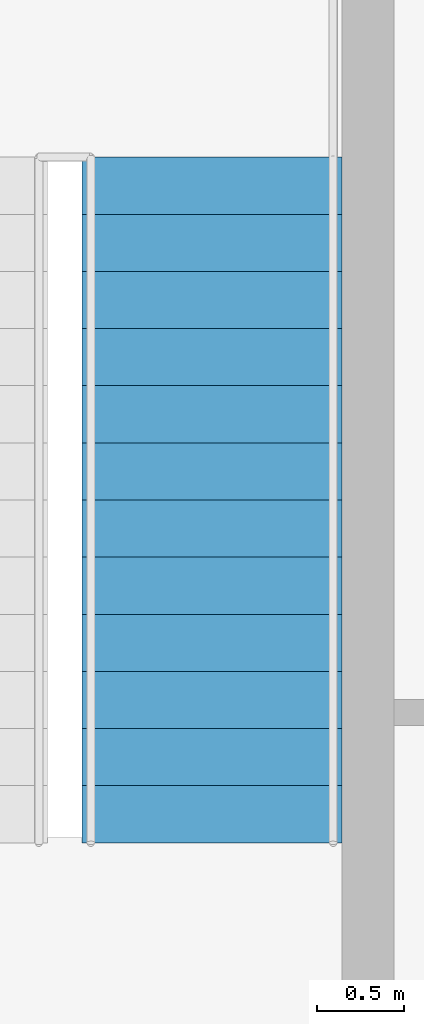
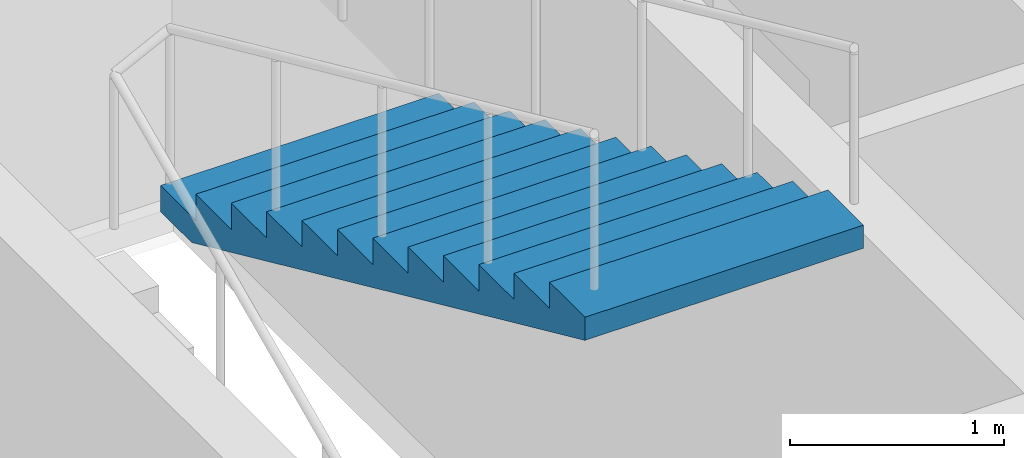
# One storey, part 9 of 10: 1 stair flight, 1 element without a shape of its own.
"""IFC4 building model written with IfcOpenShell, lengths in metres."""

from ifc_helpers import new_model, si_unit, direction, frame, origin, place, context, subcontext, project, spatial, polygons, material, type_object, element, aggregate, save


model = new_model("IFC4")

# Units and contexts
model_context = context("Model", 3, precision=1e-05, world=origin(), true_north=direction((0.0, 1.0)))
body_context = subcontext(model_context, "Body", "Model", "MODEL_VIEW")
ifc_project = project(units=[si_unit("LENGTHUNIT", "METRE"), si_unit("AREAUNIT", "SQUARE_METRE"), si_unit("VOLUMEUNIT", "CUBIC_METRE"), si_unit("PLANEANGLEUNIT", "RADIAN"), si_unit("MASSUNIT", "GRAM", prefix="KILO")], contexts=[model_context])

# Site, building, storey
site_placement = place(None, origin())
site = spatial("IfcSite", under=ifc_project, at=site_placement, CompositionType="ELEMENT")
building_placement = place(site_placement, origin())
building = spatial("IfcBuilding", under=site, at=building_placement, Name="Njiva Tower", CompositionType="ELEMENT")
storey_placement = place(building_placement, frame((0.0, 0.0, 196.5)))
storey = spatial("IfcBuildingStorey", under=building, at=storey_placement, Name="L43", CompositionType="ELEMENT", Elevation=196.5)

# Stair, stair flight
ifc_material = material(Name="Concrete C40/50", Category="concrete")
stair_type = type_object("IfcStairType", Name="ST4 Exit stair 1500", PredefinedType="HALF_TURN_STAIR", material=ifc_material)
stair_placement = place(storey_placement, origin())
stair = element("IfcStair", 1, at=stair_placement, inside=storey, type_object=stair_type, Name="Stair B", PredefinedType="HALF_TURN_STAIR")
stair_flight_type = type_object("IfcStairFlightType", Name="FL4 Stair flight 1500", PredefinedType="STRAIGHT", material=ifc_material)
stair_flight_placement = place(storey_placement, frame((13.45, 15.06, 1.95), z_axis=(0.0, 0.0, 1.0), x_axis=(0.0, -1.0, 0.0)))
stair_flight = element("IfcStairFlight", 2, at=stair_flight_placement, type_object=stair_flight_type, Name="ST-B flight 2", NumberOfRisers=13, NumberOfTreads=12, PredefinedType="STRAIGHT", RiserHeight=0.15, TreadLength=0.33, context=body_context, shape_type="Tessellation", body=[
    polygons([(0.0, 0.75, 0.0), (0.0, 0.375, 0.0), (0.0, 0.0, 0.0), (0.0, -0.375, 0.0), (0.0, -0.75, 0.0), (0.0, 0.75, 0.15), (0.0, 0.375, 0.15), (0.0, 0.0, 0.15), (0.0, -0.375, 0.15), (0.0, -0.75, 0.15), (0.33, 0.75, 0.15), (0.33, 0.375, 0.15), (0.33, 0.0, 0.15), (0.33, -0.375, 0.15), (0.33, -0.75, 0.15), (0.33, 0.75, 0.3), (0.33, 0.375, 0.3), (0.33, 0.0, 0.3), (0.33, -0.375, 0.3), (0.33, -0.75, 0.3), (0.66, 0.75, 0.3), (0.66, 0.375, 0.3), (0.66, 0.0, 0.3), (0.66, -0.375, 0.3), (0.66, -0.75, 0.3), (0.66, 0.75, 0.45), (0.66, 0.375, 0.45), (0.66, 0.0, 0.45), (0.66, -0.375, 0.45), (0.66, -0.75, 0.45), (0.99, 0.75, 0.45), (0.99, 0.375, 0.45), (0.99, 0.0, 0.45), (0.99, -0.375, 0.45), (0.99, -0.75, 0.45), (0.99, 0.75, 0.6), (0.99, 0.375, 0.6), (0.99, 0.0, 0.6), (0.99, -0.375, 0.6), (0.99, -0.75, 0.6), (1.32, 0.75, 0.6), (1.32, 0.375, 0.6), (1.32, 0.0, 0.6), (1.32, -0.375, 0.6), (1.32, -0.75, 0.6), (1.32, 0.75, 0.75), (1.32, 0.375, 0.75), (1.32, 0.0, 0.75), (1.32, -0.375, 0.75), (1.32, -0.75, 0.75), (1.65, 0.75, 0.75), (1.65, 0.375, 0.75), (1.65, 0.0, 0.75), (1.65, -0.375, 0.75), (1.65, -0.75, 0.75), (1.65, 0.75, 0.9), (1.65, 0.375, 0.9), (1.65, 0.0, 0.9), (1.65, -0.375, 0.9), (1.65, -0.75, 0.9), (1.98, 0.75, 0.9), (1.98, 0.375, 0.9), (1.98, 0.0, 0.9), (1.98, -0.375, 0.9), (1.98, -0.75, 0.9), (1.98, 0.75, 1.05), (1.98, 0.375, 1.05), (1.98, 0.0, 1.05), (1.98, -0.375, 1.05), (1.98, -0.75, 1.05), (2.31, 0.75, 1.05), (2.31, 0.375, 1.05), (2.31, 0.0, 1.05), (2.31, -0.375, 1.05), (2.31, -0.75, 1.05), (2.31, 0.75, 1.2), (2.31, 0.375, 1.2), (2.31, 0.0, 1.2), (2.31, -0.375, 1.2), (2.31, -0.75, 1.2), (2.64, 0.75, 1.2), (2.64, 0.375, 1.2), (2.64, 0.0, 1.2), (2.64, -0.375, 1.2), (2.64, -0.75, 1.2), (2.64, 0.75, 1.35), (2.64, 0.375, 1.35), (2.64, 0.0, 1.35), (2.64, -0.375, 1.35), (2.64, -0.75, 1.35), (2.97, 0.75, 1.35), (2.97, 0.375, 1.35), (2.97, 0.0, 1.35), (2.97, -0.375, 1.35), (2.97, -0.75, 1.35), (2.97, 0.75, 1.5), (2.97, 0.375, 1.5), (2.97, 0.0, 1.5), (2.97, -0.375, 1.5), (2.97, -0.75, 1.5), (3.3, 0.75, 1.5), (3.3, 0.375, 1.5), (3.3, 0.0, 1.5), (3.3, -0.375, 1.5), (3.3, -0.75, 1.5), (3.3, 0.75, 1.65), (3.3, 0.375, 1.65), (3.3, 0.0, 1.65), (3.3, -0.375, 1.65), (3.3, -0.75, 1.65), (3.63, 0.75, 1.65), (3.63, 0.375, 1.65), (3.63, 0.0, 1.65), (3.63, -0.375, 1.65), (3.63, -0.75, 1.65), (3.63, 0.75, 1.8), (3.63, 0.375, 1.8), (3.63, 0.0, 1.8), (3.63, -0.375, 1.8), (3.63, -0.75, 1.8), (3.96, 0.75, 1.8), (3.96, 0.375, 1.8), (3.96, 0.0, 1.8), (3.96, -0.375, 1.8), (3.96, -0.75, 1.8), (3.96, 0.75, 1.6682), (3.96, 0.375, 1.6682), (3.96, 0.0, 1.6682), (3.96, -0.375, 1.6682), (3.96, -0.75, 1.6682), (0.29, 0.75, 0.0), (0.29, 0.375, 0.0), (0.29, 0.0, 0.0), (0.29, -0.375, 0.0), (0.29, -0.75, 0.0)], [[[1, 6, 11, 16, 21, 26, 31, 36, 41, 46, 51, 56, 61, 66, 71, 76, 81, 86, 91, 96, 101, 106, 111, 116, 121, 126, 131]], [[135, 130, 125, 120, 115, 110, 105, 100, 95, 90, 85, 80, 75, 70, 65, 60, 55, 50, 45, 40, 35, 30, 25, 20, 15, 10, 5]], [[6, 1, 2, 7]], [[7, 2, 3, 8]], [[8, 3, 4, 9]], [[9, 4, 5, 10]], [[11, 6, 7, 12]], [[12, 7, 8, 13]], [[13, 8, 9, 14]], [[14, 9, 10, 15]], [[16, 11, 12, 17]], [[17, 12, 13, 18]], [[18, 13, 14, 19]], [[19, 14, 15, 20]], [[21, 16, 17, 22]], [[22, 17, 18, 23]], [[23, 18, 19, 24]], [[24, 19, 20, 25]], [[26, 21, 22, 27]], [[27, 22, 23, 28]], [[28, 23, 24, 29]], [[29, 24, 25, 30]], [[31, 26, 27, 32]], [[32, 27, 28, 33]], [[33, 28, 29, 34]], [[34, 29, 30, 35]], [[36, 31, 32, 37]], [[37, 32, 33, 38]], [[38, 33, 34, 39]], [[39, 34, 35, 40]], [[41, 36, 37, 42]], [[42, 37, 38, 43]], [[43, 38, 39, 44]], [[44, 39, 40, 45]], [[46, 41, 42, 47]], [[47, 42, 43, 48]], [[48, 43, 44, 49]], [[49, 44, 45, 50]], [[51, 46, 47, 52]], [[52, 47, 48, 53]], [[53, 48, 49, 54]], [[54, 49, 50, 55]], [[56, 51, 52, 57]], [[57, 52, 53, 58]], [[58, 53, 54, 59]], [[59, 54, 55, 60]], [[61, 56, 57, 62]], [[62, 57, 58, 63]], [[63, 58, 59, 64]], [[64, 59, 60, 65]], [[66, 61, 62, 67]], [[67, 62, 63, 68]], [[68, 63, 64, 69]], [[69, 64, 65, 70]], [[71, 66, 67, 72]], [[72, 67, 68, 73]], [[73, 68, 69, 74]], [[74, 69, 70, 75]], [[76, 71, 72, 77]], [[77, 72, 73, 78]], [[78, 73, 74, 79]], [[79, 74, 75, 80]], [[81, 76, 77, 82]], [[82, 77, 78, 83]], [[83, 78, 79, 84]], [[84, 79, 80, 85]], [[86, 81, 82, 87]], [[87, 82, 83, 88]], [[88, 83, 84, 89]], [[89, 84, 85, 90]], [[91, 86, 87, 92]], [[92, 87, 88, 93]], [[93, 88, 89, 94]], [[94, 89, 90, 95]], [[96, 91, 92, 97]], [[97, 92, 93, 98]], [[98, 93, 94, 99]], [[99, 94, 95, 100]], [[101, 96, 97, 102]], [[102, 97, 98, 103]], [[103, 98, 99, 104]], [[104, 99, 100, 105]], [[106, 101, 102, 107]], [[107, 102, 103, 108]], [[108, 103, 104, 109]], [[109, 104, 105, 110]], [[111, 106, 107, 112]], [[112, 107, 108, 113]], [[113, 108, 109, 114]], [[114, 109, 110, 115]], [[116, 111, 112, 117]], [[117, 112, 113, 118]], [[118, 113, 114, 119]], [[119, 114, 115, 120]], [[121, 116, 117, 122]], [[122, 117, 118, 123]], [[123, 118, 119, 124]], [[124, 119, 120, 125]], [[126, 121, 122, 127]], [[127, 122, 123, 128]], [[128, 123, 124, 129]], [[129, 124, 125, 130]], [[131, 126, 127, 132]], [[132, 127, 128, 133]], [[133, 128, 129, 134]], [[134, 129, 130, 135]], [[1, 131, 132, 2]], [[2, 132, 133, 3]], [[3, 133, 134, 4]], [[4, 134, 135, 5]]], closed=True),
])
aggregate(stair, [stair_flight])

save(model, "model.ifc")
